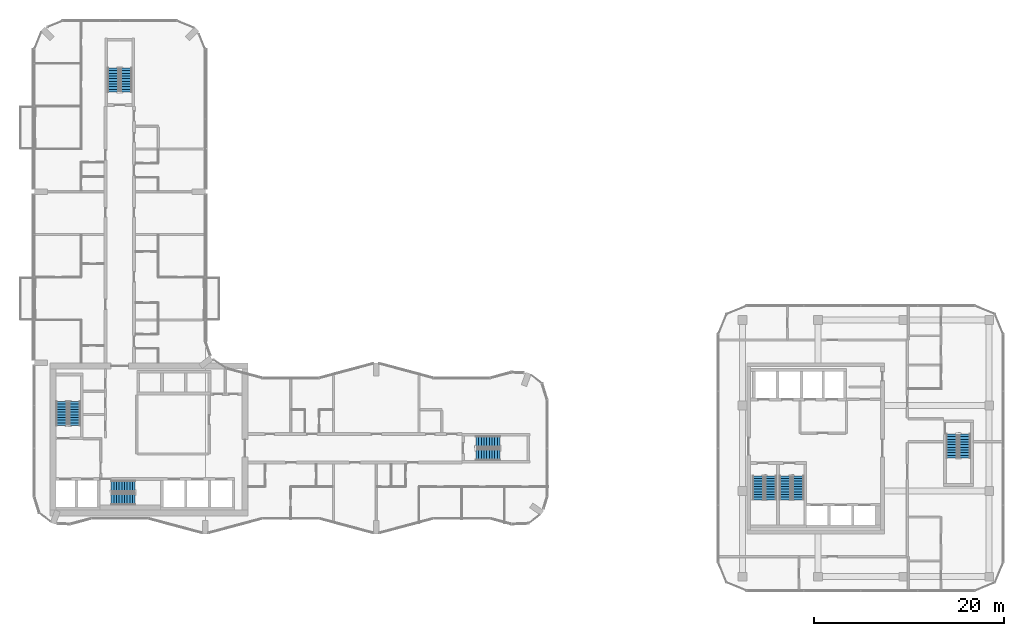
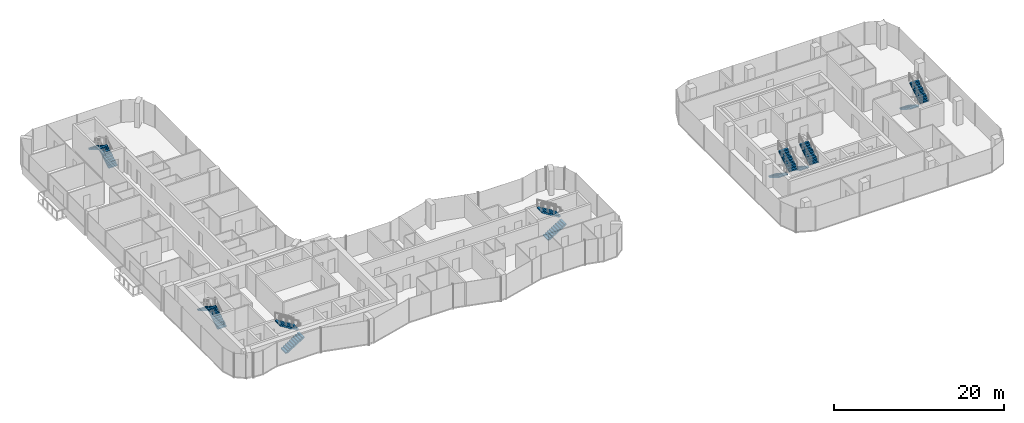
# One storey, part 19 of 22: 14 stair flights, 7 elements without a shape of their own.
"""IFC4 building model written with IfcOpenShell, lengths in metres."""

import ifcopenshell
import ifcopenshell.guid

model = None  # the IFC model being written
_history = None  # IfcOwnerHistory: only IFC2X3 demands one
_inside = {}  # id of a spatial element -> (the spatial element, [elements in it])
_under = {}  # id of a project, library or spatial element -> (it, [spatial elements below it])
_declared = {}  # id of a project -> (the project, [libraries it declares])
_typed = {}  # id of a type object -> (the type object, [elements of that type])
_made_of = {}  # id of a material, layer set ... -> (it, [elements and type objects made of it])


def new_model(schema):
    """Start an empty IFC model of exactly this schema.

    Asked for "IFC4X3", IfcOpenShell would pick the latest addendum, in which some entities
    have other attributes; the version numbers below select the first issue.
    IFC2X3 requires an IfcOwnerHistory on every rooted entity: one is made here for all.
    """
    global model, _history
    if schema == "IFC4X3":
        model = ifcopenshell.file(schema_version=(4, 3, 0, 0))
    else:
        model = ifcopenshell.file(schema=schema)
    _inside.clear()
    _under.clear()
    _declared.clear()
    _typed.clear()
    _made_of.clear()
    _history = None
    if model.schema == "IFC2X3":
        org = make("IfcOrganization", Name="unknown")
        user = make(
            "IfcPersonAndOrganization",
            ThePerson=make("IfcPerson", FamilyName="unknown"),
            TheOrganization=org,
        )
        app = make(
            "IfcApplication",
            ApplicationDeveloper=org,
            Version="unknown",
            ApplicationFullName="unknown",
            ApplicationIdentifier="unknown",
        )
        _history = make(
            "IfcOwnerHistory",
            OwningUser=user,
            OwningApplication=app,
            ChangeAction="ADDED",
            CreationDate=0,
        )
    return model


def make(cls, **values):
    """One entity of the class cls with the attributes given. An attribute that is None is left unset."""
    return model.create_entity(
        cls, **{name: value for name, value in values.items() if value is not None}
    )


def rooted(cls, **values):
    """An entity with a GlobalId (a new one), such as an element, a storey or a relation."""
    return make(cls, GlobalId=ifcopenshell.guid.new(), OwnerHistory=_history, **values)


def si_unit(unit_type, name, prefix=None):
    """IfcSIUnit, for example si_unit("LENGTHUNIT", "METRE", prefix="MILLI")."""
    return make("IfcSIUnit", UnitType=unit_type, Prefix=prefix, Name=name)


def assignment(units):
    """IfcUnitAssignment: the units of a project."""
    return None if units is None else make("IfcUnitAssignment", Units=units)


def point(xyz):
    """IfcCartesianPoint."""
    return None if xyz is None else make("IfcCartesianPoint", Coordinates=xyz)


def direction(xyz):
    """IfcDirection."""
    return None if xyz is None else make("IfcDirection", DirectionRatios=xyz)


def frame(location, z_axis=None, x_axis=None):
    """IfcAxis2Placement3D, a coordinate frame: its origin and axes. An axis left out is left unset."""
    return make(
        "IfcAxis2Placement3D",
        Location=point(location),
        Axis=direction(z_axis),
        RefDirection=direction(x_axis),
    )


def origin():
    """The frame at (0, 0, 0) with its axes left unset."""
    return frame((0.0, 0.0, 0.0))


def place(relative_to, where):
    """IfcLocalPlacement: puts the frame where relative to a parent placement (None: the world)."""
    return make(
        "IfcLocalPlacement", PlacementRelTo=relative_to, RelativePlacement=where
    )


def context(
    kind, dimensions, precision=None, world=None, true_north=None, identifier=None
):
    """IfcGeometricRepresentationContext, for example the 3D "Model" context."""
    return make(
        "IfcGeometricRepresentationContext",
        ContextIdentifier=identifier,
        ContextType=kind,
        CoordinateSpaceDimension=dimensions,
        Precision=precision,
        WorldCoordinateSystem=world,
        TrueNorth=true_north,
    )


def subcontext(parent, identifier, kind, view, scale=None):
    """IfcGeometricRepresentationSubContext, for example "Body" below "Model"."""
    return make(
        "IfcGeometricRepresentationSubContext",
        ContextIdentifier=identifier,
        ContextType=kind,
        ParentContext=parent,
        TargetScale=scale,
        TargetView=view,
    )


def project(units=None, contexts=None):
    """IfcProject with its units and contexts."""
    return rooted(
        "IfcProject",
        Name="project",
        RepresentationContexts=contexts,
        UnitsInContext=assignment(units),
    )


def spatial(cls, under=None, at=None, **own):
    """A site, building, storey or space (cls), placed at a placement, below another one or the project."""
    s = rooted(cls, ObjectPlacement=at, **own)
    if under is not None:
        _under.setdefault(under.id(), (under, []))[1].append(s)
    return s


def polyline(points):
    """IfcPolyline through the points."""
    return make("IfcPolyline", Points=[point(p) for p in points])


def outline(outer, holes=None, kind="AREA"):
    """IfcArbitraryClosedProfileDef: a profile drawn as a closed curve; with holes, ...WithVoids."""
    if holes is None:
        return make("IfcArbitraryClosedProfileDef", ProfileType=kind, OuterCurve=outer)
    return make(
        "IfcArbitraryProfileDefWithVoids",
        ProfileType=kind,
        OuterCurve=outer,
        InnerCurves=holes,
    )


def extrude(swept, where, along, depth):
    """IfcExtrudedAreaSolid: the profile swept, set in the frame where, extruded along a direction by depth."""
    return make(
        "IfcExtrudedAreaSolid",
        SweptArea=swept,
        Position=where,
        ExtrudedDirection=direction(along),
        Depth=depth,
    )


def shape(context_of_items, identifier, shape_type, items):
    """IfcShapeRepresentation: the items that make up one representation, for example the "Body"."""
    return make(
        "IfcShapeRepresentation",
        ContextOfItems=context_of_items,
        RepresentationIdentifier=identifier,
        RepresentationType=shape_type,
        Items=items,
    )


def material(Name=None, Category=None):
    """IfcMaterial."""
    return make("IfcMaterial", Name=Name, Category=Category)


def made_of(thing, what):
    """Note that an element or type object is made of a material, layer set ...; save() writes the relation."""
    if what is not None:
        _made_of.setdefault(what.id(), (what, []))[1].append(thing)
    return thing


def type_object(cls, material=None, **own):
    """A type object (cls), such as IfcWallType, which elements share."""
    return made_of(rooted(cls, **own), material)


def element(
    cls,
    number,
    at=None,
    inside=None,
    cuts=None,
    type_object=None,
    material=None,
    context=None,
    identifier="Body",
    shape_type=None,
    held_by="IfcProductDefinitionShape",
    body=None,
    shapes=None,
    **own,
):
    """One element of the class cls, such as IfcWall. Its Tag is "e" and its number.

    at: its placement. inside: the storey or other place that contains it. cuts: it is an
    opening in that element (IfcRelVoidsElement). A single representation is given by context,
    identifier, shape_type and body (its items); several are given by shapes. held_by: the class
    of the entity that holds the representations. save() writes the other relations.
    """
    e = rooted(cls, Tag="e%d" % number, ObjectPlacement=at, **own)
    if body is not None:
        shapes = [shape(context, identifier, shape_type, body)]
    if shapes is not None:
        e.Representation = make(held_by, Representations=shapes)
    if inside is not None:
        _inside.setdefault(inside.id(), (inside, []))[1].append(e)
    if cuts is not None:
        rooted(
            "IfcRelVoidsElement", RelatingBuildingElement=cuts, RelatedOpeningElement=e
        )
    if type_object is not None:
        _typed.setdefault(type_object.id(), (type_object, []))[1].append(e)
    return made_of(e, material)


def aggregate(whole, parts):
    """IfcRelAggregates: a whole, such as a stair, and the parts it consists of."""
    return rooted("IfcRelAggregates", RelatingObject=whole, RelatedObjects=parts)


def save(model, path):
    """Write the relations noted so far, then the file.

    IfcRelAggregates (storeys below a building ...), IfcRelContainedInSpatialStructure (elements
    in a storey), IfcRelDefinesByType, IfcRelAssociatesMaterial and IfcRelDeclares: one each for
    every whole, place, type object, material and project.
    """
    for whole, parts in _under.values():
        aggregate(whole, parts)
    for where, things in _inside.values():
        rooted(
            "IfcRelContainedInSpatialStructure",
            RelatedElements=things,
            RelatingStructure=where,
        )
    for kind, things in _typed.values():
        rooted("IfcRelDefinesByType", RelatedObjects=things, RelatingType=kind)
    for what, things in _made_of.values():
        rooted("IfcRelAssociatesMaterial", RelatedObjects=things, RelatingMaterial=what)
    for by, libraries in _declared.values():
        rooted("IfcRelDeclares", RelatingContext=by, RelatedDefinitions=libraries)
    model.write(path)


model = new_model("IFC4")

# Units and contexts
model_context = context("Model", 3, precision=1e-05, world=origin(), true_north=direction((0.0, 1.0)))
body_context = subcontext(model_context, "Body", "Model", "MODEL_VIEW")
ifc_project = project(units=[si_unit("LENGTHUNIT", "METRE"), si_unit("AREAUNIT", "SQUARE_METRE"), si_unit("VOLUMEUNIT", "CUBIC_METRE"), si_unit("PLANEANGLEUNIT", "RADIAN"), si_unit("MASSUNIT", "GRAM", prefix="KILO")], contexts=[model_context])

# Site, building, storey
site_placement = place(None, origin())
site = spatial("IfcSite", under=ifc_project, at=site_placement, CompositionType="ELEMENT")
building_placement = place(site_placement, origin())
building = spatial("IfcBuilding", under=site, at=building_placement, Name="Plateau Cross Towers", CompositionType="ELEMENT")
storey_placement = place(building_placement, frame((0.0, 0.0, 109.800048828125)))
storey = spatial("IfcBuildingStorey", under=building, at=storey_placement, Name="L28", CompositionType="ELEMENT", Elevation=109.800048828125)

# Stair, stair flights
ifc_material = material(Name="Concrete C40/50", Category="concrete")
stair_type = type_object("IfcStairType", Name="ST-TWR", PredefinedType="HALF_TURN_STAIR", material=ifc_material)
stair_1_placement = place(storey_placement, origin())
stair_1 = element("IfcStair", 1, at=stair_1_placement, inside=storey, type_object=stair_type, Name="L28 Protected Exit Stair ST-1", PredefinedType="HALF_TURN_STAIR")
stair_flight_type = type_object("IfcStairFlightType", Name="SFL-RC", PredefinedType="STRAIGHT", material=ifc_material)
stair_flight_1_placement = place(storey_placement, frame((4.25, 11.39990234375, 0.0), z_axis=(0.0, 0.0, 1.0), x_axis=(0.0, 1.0, 0.0)))
stair_flight_1 = element("IfcStairFlight", 2, at=stair_flight_1_placement, type_object=stair_flight_type, Name="ST-1 flight 1", NumberOfRisers=10, NumberOfTreads=9, PredefinedType="STRAIGHT", RiserHeight=0.175, TreadLength=0.28, context=body_context, shape_type="SweptSolid", body=[
    extrude(outline(polyline([(-0.0048828125, -0.010009765625), (-0.0048828125, 0.0), (0.0, 0.0), (0.0, 0.175048828125), (0.280029296875, 0.175048828125), (0.280029296875, 0.35009765625), (0.56005859375, 0.35009765625), (0.56005859375, 0.52490234375), (0.840087890625, 0.52490234375), (0.840087890625, 0.699951171875), (1.1201171875, 0.699951171875), (1.1201171875, 0.875), (1.39990234375, 0.875), (1.39990234375, 1.050048828125), (1.679931640625, 1.050048828125), (1.679931640625, 1.22509765625), (1.9599609375, 1.22509765625), (1.9599609375, 1.39990234375), (2.239990234375, 1.39990234375), (2.239990234375, 1.574951171875), (2.52001953125, 1.574951171875), (2.52490234375, 1.56494140625), (2.52490234375, 1.398193359375), (2.52001953125, 1.398193359375), (0.28271484375, 0.0), (0.02001953125, 0.0), (0.02001953125, -0.010009765625), (-0.0048828125, -0.010009765625)])), frame((0.0, 0.60009765625, 0.0), z_axis=(0.0, -1.0, 0.0), x_axis=(1.0, 0.0, 0.0)), (0.0, 0.0, 1.0), 1.199951171875),
])
stair_flight_2_placement = place(storey_placement, frame((2.89990234375, 13.919921875, 1.75), z_axis=(0.0, 0.0, 1.0), x_axis=(0.0, -1.0, 0.0)))
stair_flight_2 = element("IfcStairFlight", 3, at=stair_flight_2_placement, type_object=stair_flight_type, Name="ST-1 flight 2", NumberOfRisers=10, NumberOfTreads=9, PredefinedType="STRAIGHT", RiserHeight=0.175, TreadLength=0.28, context=body_context, shape_type="SweptSolid", body=[
    extrude(outline(polyline([(-0.0048828125, -0.010009765625), (-0.0048828125, 0.0), (0.0, 0.0), (0.0, 0.175048828125), (0.280029296875, 0.175048828125), (0.280029296875, 0.35009765625), (0.56005859375, 0.35009765625), (0.56005859375, 0.52490234375), (0.840087890625, 0.52490234375), (0.840087890625, 0.699951171875), (1.1201171875, 0.699951171875), (1.1201171875, 0.875), (1.39990234375, 0.875), (1.39990234375, 1.050048828125), (1.679931640625, 1.050048828125), (1.679931640625, 1.22509765625), (1.9599609375, 1.22509765625), (1.9599609375, 1.39990234375), (2.239990234375, 1.39990234375), (2.239990234375, 1.574951171875), (2.52001953125, 1.574951171875), (2.52490234375, 1.56494140625), (2.52490234375, 1.398193359375), (2.52001953125, 1.398193359375), (0.28271484375, 0.0), (0.02001953125, 0.0), (0.02001953125, -0.010009765625), (-0.0048828125, -0.010009765625)])), frame((0.0, 0.60009765625, 0.0), z_axis=(0.0, -1.0, 0.0), x_axis=(1.0, 0.0, 0.0)), (0.0, 0.0, 1.0), 1.199951171875),
])
aggregate(stair_1, [stair_flight_1, stair_flight_2])

stair_2_placement = place(storey_placement, origin())
stair_2 = element("IfcStair", 4, at=stair_2_placement, inside=storey, type_object=stair_type, Name="L28 Protected Exit Stair ST-2", PredefinedType="HALF_TURN_STAIR")
stair_flight_3_placement = place(storey_placement, frame((8.10009765625, 3.64990234375, 0.0), z_axis=(0.0, 0.0, 1.0), x_axis=(1.0, 0.0, 0.0)))
stair_flight_3 = element("IfcStairFlight", 5, at=stair_flight_3_placement, type_object=stair_flight_type, Name="ST-2 flight 1", NumberOfRisers=10, NumberOfTreads=9, PredefinedType="STRAIGHT", RiserHeight=0.175, TreadLength=0.28, context=body_context, shape_type="SweptSolid", body=[
    extrude(outline(polyline([(-0.0048828125, -0.010009765625), (-0.0048828125, 0.0), (0.0, 0.0), (0.0, 0.175048828125), (0.280029296875, 0.175048828125), (0.280029296875, 0.35009765625), (0.56005859375, 0.35009765625), (0.56005859375, 0.52490234375), (0.840087890625, 0.52490234375), (0.840087890625, 0.699951171875), (1.1201171875, 0.699951171875), (1.1201171875, 0.875), (1.39990234375, 0.875), (1.39990234375, 1.050048828125), (1.679931640625, 1.050048828125), (1.679931640625, 1.22509765625), (1.9599609375, 1.22509765625), (1.9599609375, 1.39990234375), (2.239990234375, 1.39990234375), (2.239990234375, 1.574951171875), (2.52001953125, 1.574951171875), (2.52490234375, 1.56494140625), (2.52490234375, 1.398193359375), (2.52001953125, 1.398193359375), (0.28271484375, 0.0), (0.02001953125, 0.0), (0.02001953125, -0.010009765625), (-0.0048828125, -0.010009765625)])), frame((0.0, 0.60009765625, 0.0), z_axis=(0.0, -1.0, 0.0), x_axis=(1.0, 0.0, 0.0)), (0.0, 0.0, 1.0), 1.199951171875),
])
stair_flight_4_placement = place(storey_placement, frame((10.6201171875, 5.0, 1.75), z_axis=(0.0, 0.0, 1.0), x_axis=(-1.0, 0.0, 0.0)))
stair_flight_4 = element("IfcStairFlight", 6, at=stair_flight_4_placement, type_object=stair_flight_type, Name="ST-2 flight 2", NumberOfRisers=10, NumberOfTreads=9, PredefinedType="STRAIGHT", RiserHeight=0.175, TreadLength=0.28, context=body_context, shape_type="SweptSolid", body=[
    extrude(outline(polyline([(-0.0048828125, -0.010009765625), (-0.0048828125, 0.0), (0.0, 0.0), (0.0, 0.175048828125), (0.280029296875, 0.175048828125), (0.280029296875, 0.35009765625), (0.56005859375, 0.35009765625), (0.56005859375, 0.52490234375), (0.840087890625, 0.52490234375), (0.840087890625, 0.699951171875), (1.1201171875, 0.699951171875), (1.1201171875, 0.875), (1.39990234375, 0.875), (1.39990234375, 1.050048828125), (1.679931640625, 1.050048828125), (1.679931640625, 1.22509765625), (1.9599609375, 1.22509765625), (1.9599609375, 1.39990234375), (2.239990234375, 1.39990234375), (2.239990234375, 1.574951171875), (2.52001953125, 1.574951171875), (2.52490234375, 1.56494140625), (2.52490234375, 1.398193359375), (2.52001953125, 1.398193359375), (0.28271484375, 0.0), (0.02001953125, 0.0), (0.02001953125, -0.010009765625), (-0.0048828125, -0.010009765625)])), frame((0.0, 0.60009765625, 0.0), z_axis=(0.0, -1.0, 0.0), x_axis=(1.0, 0.0, 0.0)), (0.0, 0.0, 1.0), 1.199951171875),
])
aggregate(stair_2, [stair_flight_3, stair_flight_4])

stair_3_placement = place(storey_placement, origin())
stair_3 = element("IfcStair", 7, at=stair_3_placement, inside=storey, type_object=stair_type, Name="L28 Protected Exit Stair SB-1", PredefinedType="HALF_TURN_STAIR")
stair_flight_5_placement = place(storey_placement, frame((76.199951171875, 6.10009765625, 0.0), z_axis=(0.0, 0.0, 1.0), x_axis=(0.0, -1.0, 0.0)))
stair_flight_5 = element("IfcStairFlight", 8, at=stair_flight_5_placement, type_object=stair_flight_type, Name="SB-1 flight 1", NumberOfRisers=10, NumberOfTreads=9, PredefinedType="STRAIGHT", RiserHeight=0.175, TreadLength=0.28, context=body_context, shape_type="SweptSolid", body=[
    extrude(outline(polyline([(-0.0048828125, -0.010009765625), (-0.0048828125, 0.0), (0.0, 0.0), (0.0, 0.175048828125), (0.280029296875, 0.175048828125), (0.280029296875, 0.35009765625), (0.56005859375, 0.35009765625), (0.56005859375, 0.52490234375), (0.840087890625, 0.52490234375), (0.840087890625, 0.699951171875), (1.1201171875, 0.699951171875), (1.1201171875, 0.875), (1.39990234375, 0.875), (1.39990234375, 1.050048828125), (1.679931640625, 1.050048828125), (1.679931640625, 1.22509765625), (1.9599609375, 1.22509765625), (1.9599609375, 1.39990234375), (2.239990234375, 1.39990234375), (2.239990234375, 1.574951171875), (2.52001953125, 1.574951171875), (2.52490234375, 1.56494140625), (2.52490234375, 1.398193359375), (2.52001953125, 1.398193359375), (0.28271484375, 0.0), (0.02001953125, 0.0), (0.02001953125, -0.010009765625), (-0.0048828125, -0.010009765625)])), frame((0.0, 0.60009765625, 0.0), z_axis=(0.0, -1.0, 0.0), x_axis=(1.0, 0.0, 0.0)), (0.0, 0.0, 1.0), 1.199951171875),
])
stair_flight_6_placement = place(storey_placement, frame((77.550048828125, 3.580078125, 1.75), z_axis=(0.0, 0.0, 1.0), x_axis=(0.0, 1.0, 0.0)))
stair_flight_6 = element("IfcStairFlight", 9, at=stair_flight_6_placement, type_object=stair_flight_type, Name="SB-1 flight 2", NumberOfRisers=10, NumberOfTreads=9, PredefinedType="STRAIGHT", RiserHeight=0.175, TreadLength=0.28, context=body_context, shape_type="SweptSolid", body=[
    extrude(outline(polyline([(-0.0048828125, -0.010009765625), (-0.0048828125, 0.0), (0.0, 0.0), (0.0, 0.175048828125), (0.280029296875, 0.175048828125), (0.280029296875, 0.35009765625), (0.56005859375, 0.35009765625), (0.56005859375, 0.52490234375), (0.840087890625, 0.52490234375), (0.840087890625, 0.699951171875), (1.1201171875, 0.699951171875), (1.1201171875, 0.875), (1.39990234375, 0.875), (1.39990234375, 1.050048828125), (1.679931640625, 1.050048828125), (1.679931640625, 1.22509765625), (1.9599609375, 1.22509765625), (1.9599609375, 1.39990234375), (2.239990234375, 1.39990234375), (2.239990234375, 1.574951171875), (2.52001953125, 1.574951171875), (2.52490234375, 1.56494140625), (2.52490234375, 1.398193359375), (2.52001953125, 1.398193359375), (0.28271484375, 0.0), (0.02001953125, 0.0), (0.02001953125, -0.010009765625), (-0.0048828125, -0.010009765625)])), frame((0.0, 0.60009765625, 0.0), z_axis=(0.0, -1.0, 0.0), x_axis=(1.0, 0.0, 0.0)), (0.0, 0.0, 1.0), 1.199951171875),
])
aggregate(stair_3, [stair_flight_5, stair_flight_6])

stair_4_placement = place(storey_placement, origin())
stair_4 = element("IfcStair", 10, at=stair_4_placement, inside=storey, type_object=stair_type, Name="L28 Protected Exit Stair SB-2", PredefinedType="HALF_TURN_STAIR")
stair_flight_7_placement = place(storey_placement, frame((79.050048828125, 6.10009765625, 0.0), z_axis=(0.0, 0.0, 1.0), x_axis=(0.0, -1.0, 0.0)))
stair_flight_7 = element("IfcStairFlight", 11, at=stair_flight_7_placement, type_object=stair_flight_type, Name="SB-2 flight 1", NumberOfRisers=10, NumberOfTreads=9, PredefinedType="STRAIGHT", RiserHeight=0.175, TreadLength=0.28, context=body_context, shape_type="SweptSolid", body=[
    extrude(outline(polyline([(-0.0048828125, -0.010009765625), (-0.0048828125, 0.0), (0.0, 0.0), (0.0, 0.175048828125), (0.280029296875, 0.175048828125), (0.280029296875, 0.35009765625), (0.56005859375, 0.35009765625), (0.56005859375, 0.52490234375), (0.840087890625, 0.52490234375), (0.840087890625, 0.699951171875), (1.1201171875, 0.699951171875), (1.1201171875, 0.875), (1.39990234375, 0.875), (1.39990234375, 1.050048828125), (1.679931640625, 1.050048828125), (1.679931640625, 1.22509765625), (1.9599609375, 1.22509765625), (1.9599609375, 1.39990234375), (2.239990234375, 1.39990234375), (2.239990234375, 1.574951171875), (2.52001953125, 1.574951171875), (2.52490234375, 1.56494140625), (2.52490234375, 1.398193359375), (2.52001953125, 1.398193359375), (0.28271484375, 0.0), (0.02001953125, 0.0), (0.02001953125, -0.010009765625), (-0.0048828125, -0.010009765625)])), frame((0.0, 0.60009765625, 0.0), z_axis=(0.0, -1.0, 0.0), x_axis=(1.0, 0.0, 0.0)), (0.0, 0.0, 1.0), 1.199951171875),
])
stair_flight_8_placement = place(storey_placement, frame((80.39990234375, 3.580078125, 1.75), z_axis=(0.0, 0.0, 1.0), x_axis=(0.0, 1.0, 0.0)))
stair_flight_8 = element("IfcStairFlight", 12, at=stair_flight_8_placement, type_object=stair_flight_type, Name="SB-2 flight 2", NumberOfRisers=10, NumberOfTreads=9, PredefinedType="STRAIGHT", RiserHeight=0.175, TreadLength=0.28, context=body_context, shape_type="SweptSolid", body=[
    extrude(outline(polyline([(-0.0048828125, -0.010009765625), (-0.0048828125, 0.0), (0.0, 0.0), (0.0, 0.175048828125), (0.280029296875, 0.175048828125), (0.280029296875, 0.35009765625), (0.56005859375, 0.35009765625), (0.56005859375, 0.52490234375), (0.840087890625, 0.52490234375), (0.840087890625, 0.699951171875), (1.1201171875, 0.699951171875), (1.1201171875, 0.875), (1.39990234375, 0.875), (1.39990234375, 1.050048828125), (1.679931640625, 1.050048828125), (1.679931640625, 1.22509765625), (1.9599609375, 1.22509765625), (1.9599609375, 1.39990234375), (2.239990234375, 1.39990234375), (2.239990234375, 1.574951171875), (2.52001953125, 1.574951171875), (2.52490234375, 1.56494140625), (2.52490234375, 1.398193359375), (2.52001953125, 1.398193359375), (0.28271484375, 0.0), (0.02001953125, 0.0), (0.02001953125, -0.010009765625), (-0.0048828125, -0.010009765625)])), frame((0.0, 0.60009765625, 0.0), z_axis=(0.0, -1.0, 0.0), x_axis=(1.0, 0.0, 0.0)), (0.0, 0.0, 1.0), 1.199951171875),
])
aggregate(stair_4, [stair_flight_7, stair_flight_8])

stair_5_placement = place(storey_placement, origin())
stair_5 = element("IfcStair", 13, at=stair_5_placement, inside=storey, type_object=stair_type, Name="L28 Protected Exit Stair SB-3", PredefinedType="HALF_TURN_STAIR")
stair_flight_9_placement = place(storey_placement, frame((96.60009765625, 10.5, 0.0), z_axis=(0.0, 0.0, 1.0), x_axis=(0.0, -1.0, 0.0)))
stair_flight_9 = element("IfcStairFlight", 14, at=stair_flight_9_placement, type_object=stair_flight_type, Name="SB-3 flight 1", NumberOfRisers=10, NumberOfTreads=9, PredefinedType="STRAIGHT", RiserHeight=0.175, TreadLength=0.28, context=body_context, shape_type="SweptSolid", body=[
    extrude(outline(polyline([(-0.0048828125, -0.010009765625), (-0.0048828125, 0.0), (0.0, 0.0), (0.0, 0.175048828125), (0.280029296875, 0.175048828125), (0.280029296875, 0.35009765625), (0.56005859375, 0.35009765625), (0.56005859375, 0.52490234375), (0.840087890625, 0.52490234375), (0.840087890625, 0.699951171875), (1.1201171875, 0.699951171875), (1.1201171875, 0.875), (1.39990234375, 0.875), (1.39990234375, 1.050048828125), (1.679931640625, 1.050048828125), (1.679931640625, 1.22509765625), (1.9599609375, 1.22509765625), (1.9599609375, 1.39990234375), (2.239990234375, 1.39990234375), (2.239990234375, 1.574951171875), (2.52001953125, 1.574951171875), (2.52490234375, 1.56494140625), (2.52490234375, 1.398193359375), (2.52001953125, 1.398193359375), (0.28271484375, 0.0), (0.02001953125, 0.0), (0.02001953125, -0.010009765625), (-0.0048828125, -0.010009765625)])), frame((0.0, 0.60009765625, 0.0), z_axis=(0.0, -1.0, 0.0), x_axis=(1.0, 0.0, 0.0)), (0.0, 0.0, 1.0), 1.199951171875),
])
stair_flight_10_placement = place(storey_placement, frame((97.949951171875, 7.97998046875, 1.75), z_axis=(0.0, 0.0, 1.0), x_axis=(0.0, 1.0, 0.0)))
stair_flight_10 = element("IfcStairFlight", 15, at=stair_flight_10_placement, type_object=stair_flight_type, Name="SB-3 flight 2", NumberOfRisers=10, NumberOfTreads=9, PredefinedType="STRAIGHT", RiserHeight=0.175, TreadLength=0.28, context=body_context, shape_type="SweptSolid", body=[
    extrude(outline(polyline([(-0.0048828125, -0.010009765625), (-0.0048828125, 0.0), (0.0, 0.0), (0.0, 0.175048828125), (0.280029296875, 0.175048828125), (0.280029296875, 0.35009765625), (0.56005859375, 0.35009765625), (0.56005859375, 0.52490234375), (0.840087890625, 0.52490234375), (0.840087890625, 0.699951171875), (1.1201171875, 0.699951171875), (1.1201171875, 0.875), (1.39990234375, 0.875), (1.39990234375, 1.050048828125), (1.679931640625, 1.050048828125), (1.679931640625, 1.22509765625), (1.9599609375, 1.22509765625), (1.9599609375, 1.39990234375), (2.239990234375, 1.39990234375), (2.239990234375, 1.574951171875), (2.52001953125, 1.574951171875), (2.52490234375, 1.56494140625), (2.52490234375, 1.398193359375), (2.52001953125, 1.398193359375), (0.28271484375, 0.0), (0.02001953125, 0.0), (0.02001953125, -0.010009765625), (-0.0048828125, -0.010009765625)])), frame((0.0, 0.60009765625, 0.0), z_axis=(0.0, -1.0, 0.0), x_axis=(1.0, 0.0, 0.0)), (0.0, 0.0, 1.0), 1.199951171875),
])
aggregate(stair_5, [stair_flight_9, stair_flight_10])

stair_6_placement = place(storey_placement, origin())
stair_6 = element("IfcStair", 16, at=stair_6_placement, inside=storey, type_object=stair_type, Name="L28 Protected Exit Stair E", PredefinedType="HALF_TURN_STAIR")
stair_flight_11_placement = place(storey_placement, frame((46.5, 8.324951171875, 0.0), z_axis=(0.0, 0.0, 1.0), x_axis=(1.0, 0.0, 0.0)))
stair_flight_11 = element("IfcStairFlight", 17, at=stair_flight_11_placement, type_object=stair_flight_type, Name="ES-E flight 1", NumberOfRisers=10, NumberOfTreads=9, PredefinedType="STRAIGHT", RiserHeight=0.175, TreadLength=0.28, context=body_context, shape_type="SweptSolid", body=[
    extrude(outline(polyline([(-0.0048828125, -0.010009765625), (-0.0048828125, 0.0), (0.0, 0.0), (0.0, 0.175048828125), (0.280029296875, 0.175048828125), (0.280029296875, 0.35009765625), (0.56005859375, 0.35009765625), (0.56005859375, 0.52490234375), (0.840087890625, 0.52490234375), (0.840087890625, 0.699951171875), (1.1201171875, 0.699951171875), (1.1201171875, 0.875), (1.39990234375, 0.875), (1.39990234375, 1.050048828125), (1.679931640625, 1.050048828125), (1.679931640625, 1.22509765625), (1.9599609375, 1.22509765625), (1.9599609375, 1.39990234375), (2.239990234375, 1.39990234375), (2.239990234375, 1.574951171875), (2.52001953125, 1.574951171875), (2.52490234375, 1.56494140625), (2.52490234375, 1.398193359375), (2.52001953125, 1.398193359375), (0.28271484375, 0.0), (0.02001953125, 0.0), (0.02001953125, -0.010009765625), (-0.0048828125, -0.010009765625)])), frame((0.0, 0.60009765625, 0.0), z_axis=(0.0, -1.0, 0.0), x_axis=(1.0, 0.0, 0.0)), (0.0, 0.0, 1.0), 1.199951171875),
])
stair_flight_12_placement = place(storey_placement, frame((49.02001953125, 9.675048828125, 1.75), z_axis=(0.0, 0.0, 1.0), x_axis=(-1.0, 0.0, 0.0)))
stair_flight_12 = element("IfcStairFlight", 18, at=stair_flight_12_placement, type_object=stair_flight_type, Name="ES-E flight 2", NumberOfRisers=10, NumberOfTreads=9, PredefinedType="STRAIGHT", RiserHeight=0.175, TreadLength=0.28, context=body_context, shape_type="SweptSolid", body=[
    extrude(outline(polyline([(-0.0048828125, -0.010009765625), (-0.0048828125, 0.0), (0.0, 0.0), (0.0, 0.175048828125), (0.280029296875, 0.175048828125), (0.280029296875, 0.35009765625), (0.56005859375, 0.35009765625), (0.56005859375, 0.52490234375), (0.840087890625, 0.52490234375), (0.840087890625, 0.699951171875), (1.1201171875, 0.699951171875), (1.1201171875, 0.875), (1.39990234375, 0.875), (1.39990234375, 1.050048828125), (1.679931640625, 1.050048828125), (1.679931640625, 1.22509765625), (1.9599609375, 1.22509765625), (1.9599609375, 1.39990234375), (2.239990234375, 1.39990234375), (2.239990234375, 1.574951171875), (2.52001953125, 1.574951171875), (2.52490234375, 1.56494140625), (2.52490234375, 1.398193359375), (2.52001953125, 1.398193359375), (0.28271484375, 0.0), (0.02001953125, 0.0), (0.02001953125, -0.010009765625), (-0.0048828125, -0.010009765625)])), frame((0.0, 0.60009765625, 0.0), z_axis=(0.0, -1.0, 0.0), x_axis=(1.0, 0.0, 0.0)), (0.0, 0.0, 1.0), 1.199951171875),
])
aggregate(stair_6, [stair_flight_11, stair_flight_12])

stair_7_placement = place(storey_placement, origin())
stair_7 = element("IfcStair", 19, at=stair_7_placement, inside=storey, type_object=stair_type, Name="L28 Protected Exit Stair N", PredefinedType="HALF_TURN_STAIR")
stair_flight_13_placement = place(storey_placement, frame((9.675048828125, 46.5, 0.0), z_axis=(0.0, 0.0, 1.0), x_axis=(0.0, 1.0, 0.0)))
stair_flight_13 = element("IfcStairFlight", 20, at=stair_flight_13_placement, type_object=stair_flight_type, Name="ES-N flight 1", NumberOfRisers=10, NumberOfTreads=9, PredefinedType="STRAIGHT", RiserHeight=0.175, TreadLength=0.28, context=body_context, shape_type="SweptSolid", body=[
    extrude(outline(polyline([(-0.0048828125, -0.010009765625), (-0.0048828125, 0.0), (0.0, 0.0), (0.0, 0.175048828125), (0.280029296875, 0.175048828125), (0.280029296875, 0.35009765625), (0.56005859375, 0.35009765625), (0.56005859375, 0.52490234375), (0.840087890625, 0.52490234375), (0.840087890625, 0.699951171875), (1.1201171875, 0.699951171875), (1.1201171875, 0.875), (1.39990234375, 0.875), (1.39990234375, 1.050048828125), (1.679931640625, 1.050048828125), (1.679931640625, 1.22509765625), (1.9599609375, 1.22509765625), (1.9599609375, 1.39990234375), (2.239990234375, 1.39990234375), (2.239990234375, 1.574951171875), (2.52001953125, 1.574951171875), (2.52490234375, 1.56494140625), (2.52490234375, 1.398193359375), (2.52001953125, 1.398193359375), (0.28271484375, 0.0), (0.02001953125, 0.0), (0.02001953125, -0.010009765625), (-0.0048828125, -0.010009765625)])), frame((0.0, 0.60009765625, 0.0), z_axis=(0.0, -1.0, 0.0), x_axis=(1.0, 0.0, 0.0)), (0.0, 0.0, 1.0), 1.199951171875),
])
stair_flight_14_placement = place(storey_placement, frame((8.324951171875, 49.02001953125, 1.75), z_axis=(0.0, 0.0, 1.0), x_axis=(0.0, -1.0, 0.0)))
stair_flight_14 = element("IfcStairFlight", 21, at=stair_flight_14_placement, type_object=stair_flight_type, Name="ES-N flight 2", NumberOfRisers=10, NumberOfTreads=9, PredefinedType="STRAIGHT", RiserHeight=0.175, TreadLength=0.28, context=body_context, shape_type="SweptSolid", body=[
    extrude(outline(polyline([(-0.0048828125, -0.010009765625), (-0.0048828125, 0.0), (0.0, 0.0), (0.0, 0.175048828125), (0.280029296875, 0.175048828125), (0.280029296875, 0.35009765625), (0.56005859375, 0.35009765625), (0.56005859375, 0.52490234375), (0.840087890625, 0.52490234375), (0.840087890625, 0.699951171875), (1.1201171875, 0.699951171875), (1.1201171875, 0.875), (1.39990234375, 0.875), (1.39990234375, 1.050048828125), (1.679931640625, 1.050048828125), (1.679931640625, 1.22509765625), (1.9599609375, 1.22509765625), (1.9599609375, 1.39990234375), (2.239990234375, 1.39990234375), (2.239990234375, 1.574951171875), (2.52001953125, 1.574951171875), (2.52490234375, 1.56494140625), (2.52490234375, 1.398193359375), (2.52001953125, 1.398193359375), (0.28271484375, 0.0), (0.02001953125, 0.0), (0.02001953125, -0.010009765625), (-0.0048828125, -0.010009765625)])), frame((0.0, 0.60009765625, 0.0), z_axis=(0.0, -1.0, 0.0), x_axis=(1.0, 0.0, 0.0)), (0.0, 0.0, 1.0), 1.199951171875),
])
aggregate(stair_7, [stair_flight_13, stair_flight_14])

save(model, "model.ifc")
